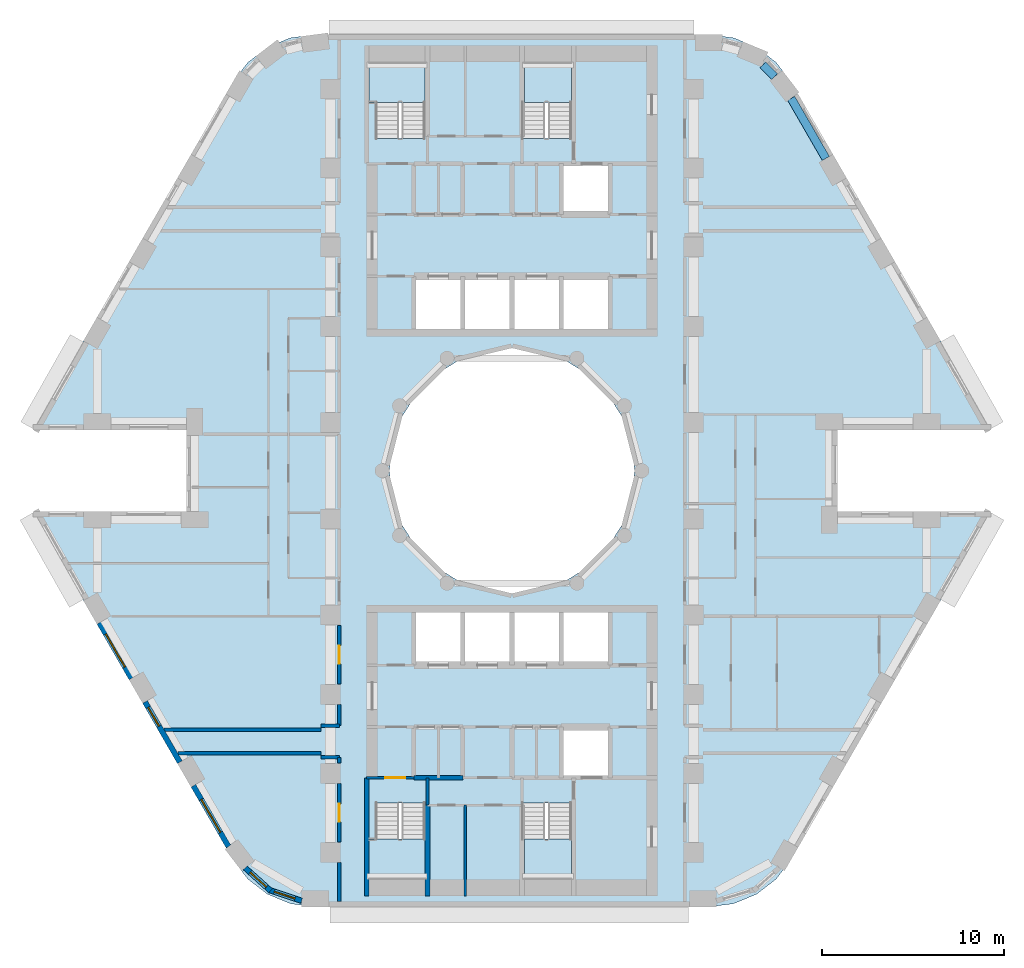
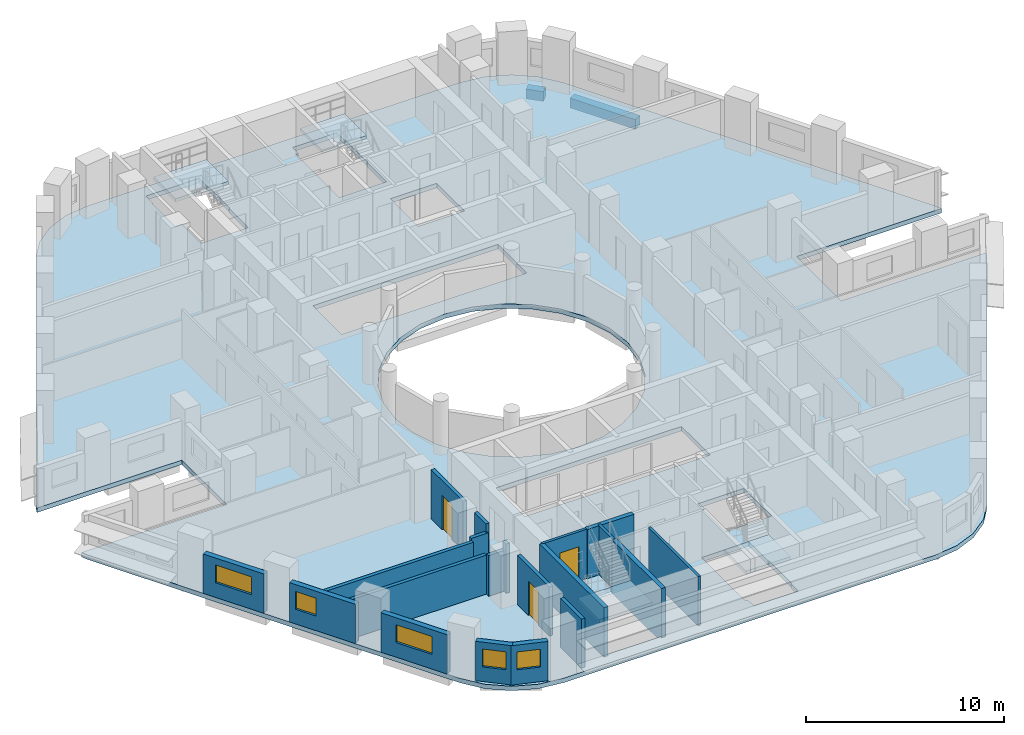
# One storey, part 2 of 12: 20 walls, 5 slabs, 5 windows, 3 doors, 2 beams, 8 openings, 4 elements without a shape of their own.
"""IFC4 building model written with IfcOpenShell, lengths in metres."""

from ifc_helpers import new_model, si_unit, direction, frame, frame_2d, origin, origin_2d, place, context, subcontext, project, spatial, polyline, rectangle, outline, extrude, material, layer, layer_set, material_profile, profile_set, type_object, element, fill, aggregate, save


model = new_model("IFC4")

# Units and contexts
model_context = context("Model", 3, precision=1e-05, world=origin(), true_north=direction((0.0, 1.0)))
body_context = subcontext(model_context, "Body", "Model", "MODEL_VIEW")
ifc_project = project(units=[si_unit("LENGTHUNIT", "METRE"), si_unit("AREAUNIT", "SQUARE_METRE"), si_unit("VOLUMEUNIT", "CUBIC_METRE"), si_unit("PLANEANGLEUNIT", "RADIAN"), si_unit("MASSUNIT", "GRAM", prefix="KILO")], contexts=[model_context])

# Site, building, storey
site_placement = place(None, origin())
site = spatial("IfcSite", under=ifc_project, at=site_placement, CompositionType="ELEMENT")
building_placement = place(site_placement, origin())
building = spatial("IfcBuilding", under=site, at=building_placement, Name="Nakaniwa Court", CompositionType="ELEMENT")
storey_placement = place(building_placement, frame((0.0, 0.0, 51.300048828125)))
storey = spatial("IfcBuildingStorey", under=building, at=storey_placement, Name="L13", CompositionType="ELEMENT", Elevation=51.300048828125)

# Beams
ifc_material_1 = material(Name="Concrete C100/115", Category="concrete")
ifc_material_profile = material_profile(ifc_material_1, rectangle(XDim=0.449951171875, YDim=0.60009765625, at=origin_2d()), Name="Concrete C100/115 RC 450x600 spandrel beam")
ifc_profile_set = profile_set([ifc_material_profile], Name="Concrete C100/115")
beam_type = type_object("IfcBeamType", Name="Concrete C100/115 RC 450x600 spandrel beam", PredefinedType="BEAM", material=ifc_profile_set)
beam_1_placement = place(storey_placement, frame((97.2705078125, 97.1865234375, -0.574951171875), z_axis=(-0.500023067617, 0.86601208528, 0.0), x_axis=(-0.86601208528, -0.500023067617, 0.0)))
element("IfcBeam", 1, at=beam_1_placement, inside=storey, type_object=beam_type, Name="SPANDREL BEAM", PredefinedType="BEAM", context=body_context, shape_type="SweptSolid", body=[
    extrude(rectangle(XDim=0.449951171875, YDim=0.60009765625, at=origin_2d()), origin(), (0.0, 0.0, 1.0), 3.819580078125),
])
beam_2_placement = place(storey_placement, frame((94.448486328125, 101.68505859375, -0.574951171875), z_axis=(-0.705908410536, 0.708303124329, 0.0), x_axis=(-0.708303124329, -0.705908410536, 0.0)))
element("IfcBeam", 2, at=beam_2_placement, inside=storey, type_object=beam_type, Name="SPANDREL BEAM", PredefinedType="BEAM", context=body_context, shape_type="SweptSolid", body=[
    extrude(rectangle(XDim=0.449951171875, YDim=0.60009765625, at=origin_2d()), origin(), (0.0, 0.0, 1.0), 0.91748046875),
])

# Slab
ifc_layer_1 = layer(ifc_material_1, 0.27490234375)
ifc_layer_set_1 = layer_set([ifc_layer_1], Name="Concrete C100/115")
slab_type_1 = type_object("IfcSlabType", Name="Concrete C100/115 post tensioned floor slab 275", PredefinedType="FLOOR", material=ifc_layer_set_1)
slab_1_placement = place(storey_placement, frame((0.0, 0.0, -0.275146484375)))
element("IfcSlab", 3, at=slab_1_placement, inside=storey, type_object=slab_type_1, Name="FLOOR SLAB", PredefinedType="FLOOR", context=body_context, shape_type="SweptSolid", body=[
    extrude(outline(polyline([(97.908447265625, 82.25), (106.356689453125, 82.25), (106.211669921875, 82.60009765625), (95.357421875, 101.39990234375), (94.531005859375, 102.47705078125), (93.4541015625, 103.30322265625), (92.199951171875, 103.82275390625), (90.854248046875, 104.0), (69.145751953125, 104.0), (67.800048828125, 103.82275390625), (66.5458984375, 103.30322265625), (65.468994140625, 102.47705078125), (64.642578125, 101.39990234375), (53.788330078125, 82.60009765625), (53.643310546875, 82.25), (62.091552734375, 82.25), (62.091552734375, 77.75), (53.643310546875, 77.75), (53.788330078125, 77.39990234375), (64.642578125, 58.60009765625), (65.468994140625, 57.52294921875), (66.5458984375, 56.69677734375), (67.800048828125, 56.17724609375), (69.145751953125, 56.0), (90.854248046875, 56.0), (92.199951171875, 56.17724609375), (93.4541015625, 56.69677734375), (94.531005859375, 57.52294921875), (95.357421875, 58.60009765625), (106.211669921875, 77.39990234375), (106.356689453125, 77.75), (97.908447265625, 77.75), (97.908447265625, 82.25)]), holes=[polyline([(81.501953125, 86.580810546875), (80.0, 86.75), (78.498046875, 86.580810546875), (77.0712890625, 86.08154296875), (75.79150390625, 85.27734375), (74.72265625, 84.20849609375), (73.91845703125, 82.9287109375), (73.419189453125, 81.501953125), (73.25, 80.0), (73.419189453125, 78.498046875), (73.91845703125, 77.0712890625), (74.72265625, 75.79150390625), (75.79150390625, 74.72265625), (77.0712890625, 73.91845703125), (78.498046875, 73.419189453125), (80.0, 73.25), (81.501953125, 73.419189453125), (82.9287109375, 73.91845703125), (84.20849609375, 74.72265625), (85.27734375, 75.79150390625), (86.08154296875, 77.0712890625), (86.580810546875, 78.498046875), (86.75, 80.0), (86.580810546875, 81.501953125), (86.08154296875, 82.9287109375), (85.27734375, 84.20849609375), (84.20849609375, 85.27734375), (82.9287109375, 86.08154296875), (81.501953125, 86.580810546875)]), polyline([(75.264892578125, 57.4599609375), (75.264892578125, 59.764892578125), (75.22509765625, 59.764892578125), (75.22509765625, 61.7099609375), (72.47509765625, 61.7099609375), (72.47509765625, 59.764892578125), (72.0849609375, 59.764892578125), (72.0849609375, 57.4599609375), (72.125, 57.4599609375), (72.125, 56.72509765625), (75.22509765625, 56.72509765625), (75.22509765625, 57.324951171875), (75.22509765625, 57.4599609375), (75.264892578125, 57.4599609375)]), polyline([(80.0, 69.300048828125), (82.699951171875, 69.300048828125), (85.39990234375, 69.300048828125), (85.39990234375, 72.199951171875), (82.699951171875, 72.199951171875), (80.0, 72.199951171875), (77.300048828125, 72.199951171875), (74.60009765625, 72.199951171875), (74.60009765625, 69.300048828125), (77.300048828125, 69.300048828125), (80.0, 69.300048828125)]), polyline([(80.0, 87.800048828125), (82.699951171875, 87.800048828125), (85.39990234375, 87.800048828125), (85.39990234375, 90.699951171875), (82.699951171875, 90.699951171875), (80.0, 90.699951171875), (77.300048828125, 90.699951171875), (74.60009765625, 90.699951171875), (74.60009765625, 87.800048828125), (77.300048828125, 87.800048828125), (80.0, 87.800048828125)]), polyline([(75.264892578125, 100.235107421875), (75.264892578125, 102.5400390625), (75.22509765625, 102.5400390625), (75.22509765625, 102.675048828125), (75.22509765625, 103.27490234375), (72.125, 103.27490234375), (72.125, 102.5400390625), (72.0849609375, 102.5400390625), (72.0849609375, 100.235107421875), (72.47509765625, 100.235107421875), (72.47509765625, 98.2900390625), (75.22509765625, 98.2900390625), (75.22509765625, 100.235107421875), (75.264892578125, 100.235107421875)]), polyline([(83.27490234375, 61.7099609375), (80.52490234375, 61.7099609375), (80.52490234375, 57.324951171875), (80.675048828125, 57.324951171875), (80.675048828125, 56.72509765625), (83.27490234375, 56.72509765625), (83.27490234375, 57.324951171875), (83.27490234375, 57.4599609375), (83.31494140625, 57.4599609375), (83.31494140625, 59.764892578125), (83.27490234375, 59.764892578125), (83.27490234375, 61.7099609375)]), polyline([(85.39990234375, 65.89990234375), (82.699951171875, 65.89990234375), (82.699951171875, 63.10009765625), (85.39990234375, 63.10009765625), (85.39990234375, 65.89990234375)]), polyline([(85.39990234375, 96.89990234375), (82.699951171875, 96.89990234375), (82.699951171875, 94.10009765625), (85.39990234375, 94.10009765625), (85.39990234375, 96.89990234375)]), polyline([(83.27490234375, 100.235107421875), (83.31494140625, 100.235107421875), (83.31494140625, 102.5400390625), (83.27490234375, 102.5400390625), (83.27490234375, 102.675048828125), (83.27490234375, 103.27490234375), (80.675048828125, 103.27490234375), (80.675048828125, 102.675048828125), (80.52490234375, 102.675048828125), (80.52490234375, 98.2900390625), (83.27490234375, 98.2900390625), (83.27490234375, 100.235107421875)])]), origin(), (0.0, 0.0, 1.0), 0.275146484375),
])

# Stair, slab
ifc_material_2 = material(Name="Concrete C80/100", Category="concrete")
stair_type = type_object("IfcStairType", Name="Dog leg stair 1300 wide 18 risers", PredefinedType="HALF_TURN_STAIR", material=ifc_material_2)
stair_1_placement = place(storey_placement, origin())
stair_1 = element("IfcStair", 4, at=stair_1_placement, inside=storey, type_object=stair_type, Name="L13 Stair ST1", PredefinedType="HALF_TURN_STAIR")
ifc_layer_2 = layer(ifc_material_2, 0.199951171875)
ifc_layer_set_2 = layer_set([ifc_layer_2], Name="Concrete C80/100")
slab_type_2 = type_object("IfcSlabType", Name="Stair landing concrete", PredefinedType="LANDING", material=ifc_layer_set_2)
slab_2_placement = place(storey_placement, frame((0.0, 0.0, 1.449951171875)))
slab_2 = element("IfcSlab", 5, at=slab_2_placement, type_object=slab_type_2, Name="ST1 landing 1", PredefinedType="LANDING", context=body_context, shape_type="SweptSolid", body=[
    extrude(outline(polyline([(75.22509765625, 100.27490234375), (75.22509765625, 102.5), (72.125, 102.5), (72.125, 100.27490234375), (75.22509765625, 100.27490234375)])), origin(), (0.0, 0.0, 1.0), 0.199951171875),
])
aggregate(stair_1, [slab_2])

stair_2_placement = place(storey_placement, origin())
stair_2 = element("IfcStair", 6, at=stair_2_placement, inside=storey, type_object=stair_type, Name="L13 Stair ST2", PredefinedType="HALF_TURN_STAIR")
slab_3_placement = place(storey_placement, frame((0.0, 0.0, 1.449951171875)))
slab_3 = element("IfcSlab", 7, at=slab_3_placement, type_object=slab_type_2, Name="ST2 landing 1", PredefinedType="LANDING", context=body_context, shape_type="SweptSolid", body=[
    extrude(outline(polyline([(83.27490234375, 100.27490234375), (83.27490234375, 102.5), (80.675048828125, 102.5), (80.675048828125, 100.27490234375), (83.27490234375, 100.27490234375)])), origin(), (0.0, 0.0, 1.0), 0.199951171875),
])
aggregate(stair_2, [slab_3])

stair_3_placement = place(storey_placement, origin())
stair_3 = element("IfcStair", 8, at=stair_3_placement, inside=storey, type_object=stair_type, Name="L13 Stair ST3", PredefinedType="HALF_TURN_STAIR")
slab_4_placement = place(storey_placement, frame((0.0, 0.0, 1.449951171875)))
slab_4 = element("IfcSlab", 9, at=slab_4_placement, type_object=slab_type_2, Name="ST3 landing 1", PredefinedType="LANDING", context=body_context, shape_type="SweptSolid", body=[
    extrude(outline(polyline([(75.22509765625, 57.5), (75.22509765625, 59.72509765625), (72.125, 59.72509765625), (72.125, 57.5), (75.22509765625, 57.5)])), origin(), (0.0, 0.0, 1.0), 0.199951171875),
])
aggregate(stair_3, [slab_4])

stair_4_placement = place(storey_placement, origin())
stair_4 = element("IfcStair", 10, at=stair_4_placement, inside=storey, type_object=stair_type, Name="L13 Stair ST4", PredefinedType="HALF_TURN_STAIR")
slab_5_placement = place(storey_placement, frame((0.0, 0.0, 1.449951171875)))
slab_5 = element("IfcSlab", 11, at=slab_5_placement, type_object=slab_type_2, Name="ST4 landing 1", PredefinedType="LANDING", context=body_context, shape_type="SweptSolid", body=[
    extrude(outline(polyline([(83.27490234375, 57.5), (83.27490234375, 59.72509765625), (80.675048828125, 59.72509765625), (80.675048828125, 57.5), (83.27490234375, 57.5)])), origin(), (0.0, 0.0, 1.0), 0.199951171875),
])
aggregate(stair_4, [slab_5])

# Walls
ifc_material_3 = material(Name="Acoustic double stud partition")
ifc_layer_3 = layer(ifc_material_3, 0.199951171875)
ifc_layer_set_3 = layer_set([ifc_layer_3], Name="Acoustic double stud partition")
wall_type_1 = type_object("IfcWallType", Name="Acoustic double stud partition 200", PredefinedType="PARTITIONING", material=ifc_layer_set_3)
wall_1_placement = place(storey_placement, frame((69.5, 65.97509765625, 0.0), z_axis=(0.0, 0.0, 1.0), x_axis=(1.0, 0.0, 0.0)))
element("IfcWall", 12, at=wall_1_placement, inside=storey, type_object=wall_type_1, Name="Partition PW-091", PredefinedType="PARTITIONING", context=body_context, shape_type="SweptSolid", body=[
    extrude(rectangle(XDim=1.0, YDim=0.199951171875, at=frame_2d((0.5, 0.0))), origin(), (0.0, 0.0, 1.0), 2.5048828125),
])
wall_2_placement = place(storey_placement, frame((60.86083984375, 65.75, 0.0), z_axis=(0.0, 0.0, 1.0), x_axis=(1.0, 0.0, 0.0)))
element("IfcWall", 13, at=wall_2_placement, inside=storey, type_object=wall_type_1, Name="Partition PW-093", PredefinedType="PARTITIONING", context=body_context, shape_type="SweptSolid", body=[
    extrude(rectangle(XDim=8.63916015625, YDim=0.199951171875, at=frame_2d((4.319580078125, 0.0))), origin(), (0.0, 0.0, 1.0), 2.405029296875),
])
wall_3_placement = place(storey_placement, frame((61.611328125, 64.449951171875, 0.0), z_axis=(0.0, 0.0, 1.0), x_axis=(1.0, 0.0, 0.0)))
element("IfcWall", 14, at=wall_3_placement, inside=storey, type_object=wall_type_1, Name="Partition PW-095", PredefinedType="PARTITIONING", context=body_context, shape_type="SweptSolid", body=[
    extrude(rectangle(XDim=7.888671875, YDim=0.199951171875, at=frame_2d((3.9443359375, 0.0))), origin(), (0.0, 0.0, 1.0), 2.405029296875),
])
wall_4_placement = place(storey_placement, frame((69.5, 64.22509765625, 0.0), z_axis=(0.0, 0.0, 1.0), x_axis=(1.0, 0.0, 0.0)))
element("IfcWall", 15, at=wall_4_placement, inside=storey, type_object=wall_type_1, Name="Partition PW-097", PredefinedType="PARTITIONING", context=body_context, shape_type="SweptSolid", body=[
    extrude(rectangle(XDim=1.0, YDim=0.199951171875, at=frame_2d((0.5, 0.0))), origin(), (0.0, 0.0, 1.0), 2.5048828125),
])
wall_5_placement = place(storey_placement, frame((70.5, 56.300048828125, 0.0), z_axis=(0.0, 0.0, 1.0), x_axis=(0.0, 1.0, 0.0)))
element("IfcWall", 16, at=wall_5_placement, inside=storey, type_object=wall_type_1, Name="Partition PW-099", PredefinedType="PARTITIONING", context=body_context, shape_type="SweptSolid", body=[
    extrude(rectangle(XDim=2.133056640625, YDim=0.199951171875, at=frame_2d((1.06640625, 0.0))), origin(), (0.0, 0.0, 1.0), 3.02490234375),
])

# Wall, opening, door
wall_6_placement = place(storey_placement, frame((70.5, 59.56689453125, 0.0), z_axis=(0.0, 0.0, 1.0), x_axis=(0.0, 1.0, 0.0)))
wall_6 = element("IfcWall", 17, at=wall_6_placement, inside=storey, type_object=wall_type_1, Name="Partition PW-100", PredefinedType="PARTITIONING", context=body_context, shape_type="SweptSolid", body=[
    extrude(rectangle(XDim=3.216064453125, YDim=0.199951171875, at=frame_2d((1.60791015625, 0.0))), origin(), (0.0, 0.0, 1.0), 3.02490234375),
])
opening_1_placement = place(wall_6_placement, frame((1.10791015625, 0.0, 0.0)))
opening_1 = element("IfcOpeningElement", 18, at=opening_1_placement, cuts=wall_6, Name="Opening D-02-06", PredefinedType="OPENING", context=body_context, shape_type="SweptSolid", body=[
    extrude(rectangle(XDim=1.0, YDim=2.10009765625, at=frame_2d((0.5, 1.050048828125))), frame((0.0, 0.10986328125, 0.0), z_axis=(0.0, -1.0, 0.0), x_axis=(1.0, 0.0, 0.0)), (0.0, 0.0, 1.0), 0.219970703125),
])
ifc_material_4 = material(Name="Solid core timber door set, black veneer", Category="wood")
door_type_1 = type_object("IfcDoorType", Name="Internal door 1000", OperationType="NOTDEFINED", PredefinedType="DOOR", material=ifc_material_4)
door_1_placement = place(opening_1_placement, origin())
door_1 = element("IfcDoor", 19, at=door_1_placement, inside=storey, type_object=door_type_1, Name="Door D-02-06 L13-054", OperationType="SINGLE_SWING_LEFT", OverallHeight=2.10009765625, OverallWidth=1.0, PredefinedType="DOOR", context=body_context, shape_type="SweptSolid", body=[
    extrude(rectangle(XDim=1.0, YDim=2.10009765625, at=frame_2d((0.5, 1.050048828125))), frame((0.0, 0.02490234375, 0.0), z_axis=(0.0, -1.0, 0.0), x_axis=(1.0, 0.0, 0.0)), (0.0, 0.0, 1.0), 0.050048828125),
])
fill(opening_1, door_1)

# Walls
wall_7_placement = place(storey_placement, frame((70.5, 63.9169921875, 0.0), z_axis=(0.0, 0.0, 1.0), x_axis=(0.0, 1.0, 0.0)))
element("IfcWall", 20, at=wall_7_placement, inside=storey, type_object=wall_type_1, Name="Partition PW-101", PredefinedType="PARTITIONING", context=body_context, shape_type="SweptSolid", body=[
    extrude(rectangle(XDim=0.31103515625, YDim=0.199951171875, at=frame_2d((0.155517578125, 0.0))), origin(), (0.0, 0.0, 1.0), 3.02490234375),
])
wall_8_placement = place(storey_placement, frame((70.5, 65.971923828125, 0.0), z_axis=(0.0, 0.0, 1.0), x_axis=(0.0, 1.0, 0.0)))
element("IfcWall", 21, at=wall_8_placement, inside=storey, type_object=wall_type_1, Name="Partition PW-102", PredefinedType="PARTITIONING", context=body_context, shape_type="SweptSolid", body=[
    extrude(rectangle(XDim=1.1611328125, YDim=0.199951171875, at=frame_2d((0.58056640625, 0.0))), origin(), (0.0, 0.0, 1.0), 3.02490234375),
])

# Wall, opening, door
wall_9_placement = place(storey_placement, frame((70.5, 68.26708984375, 0.0), z_axis=(0.0, 0.0, 1.0), x_axis=(0.0, 1.0, 0.0)))
wall_9 = element("IfcWall", 22, at=wall_9_placement, inside=storey, type_object=wall_type_1, Name="Partition PW-103", PredefinedType="PARTITIONING", context=body_context, shape_type="SweptSolid", body=[
    extrude(rectangle(XDim=3.2158203125, YDim=0.199951171875, at=frame_2d((1.60791015625, 0.0))), origin(), (0.0, 0.0, 1.0), 3.02490234375),
])
opening_2_placement = place(wall_9_placement, frame((1.10791015625, 0.0, 0.0)))
opening_2 = element("IfcOpeningElement", 23, at=opening_2_placement, cuts=wall_9, Name="Opening D-02-03", PredefinedType="OPENING", context=body_context, shape_type="SweptSolid", body=[
    extrude(rectangle(XDim=1.0, YDim=2.10009765625, at=frame_2d((0.5, 1.050048828125))), frame((0.0, 0.10986328125, 0.0), z_axis=(0.0, -1.0, 0.0), x_axis=(1.0, 0.0, 0.0)), (0.0, 0.0, 1.0), 0.219970703125),
])
door_2_placement = place(opening_2_placement, origin())
door_2 = element("IfcDoor", 24, at=door_2_placement, inside=storey, type_object=door_type_1, Name="Door D-02-03 L13-041", OperationType="SINGLE_SWING_RIGHT", OverallHeight=2.10009765625, OverallWidth=1.0, PredefinedType="DOOR", context=body_context, shape_type="SweptSolid", body=[
    extrude(rectangle(XDim=1.0, YDim=2.10009765625, at=frame_2d((0.5, 1.050048828125))), frame((0.0, 0.02490234375, 0.0), z_axis=(0.0, -1.0, 0.0), x_axis=(1.0, 0.0, 0.0)), (0.0, 0.0, 1.0), 0.050048828125),
])
fill(opening_2, door_2)

# Wall, opening, window
ifc_material_5 = material(Name="Charcoal ceramic cladding")
ifc_layer_4 = layer(ifc_material_5, 0.02, Name="Ceramic cladding")
ifc_material_6 = material(Name="Ventilated air cavity")
ifc_layer_5 = layer(ifc_material_6, 0.04, ventilated=True, Name="Ventilated cavity")
ifc_material_7 = material(Name="Mineral wool insulation")
ifc_layer_6 = layer(ifc_material_7, 0.1, Name="Insulation")
ifc_material_8 = material(Name="Cement bonded sheathing board")
ifc_layer_7 = layer(ifc_material_8, 0.012, Name="Sheathing")
ifc_material_9 = material(Name="Cold-formed galvanised stud frame with mineral wool infill")
ifc_layer_8 = layer(ifc_material_9, 0.1, Name="Stud frame")
ifc_material_10 = material(Name="Fire-rated gypsum plasterboard lining")
ifc_layer_9 = layer(ifc_material_10, 0.028, Name="Lining")
ifc_layer_set_4 = layer_set([ifc_layer_4, ifc_layer_5, ifc_layer_6, ifc_layer_7, ifc_layer_8, ifc_layer_9], Name="Charcoal ceramic faced external wall system")
wall_type_2 = type_object("IfcWallType", Name="Black ceramic faced external wall 300", PredefinedType="SOLIDWALL", material=ifc_layer_set_4)
wall_10_placement = place(storey_placement, frame((57.290283203125, 71.63427734375, 0.0), z_axis=(0.0, 0.0, 1.0), x_axis=(0.499977402622, -0.866038449993, 0.0)))
wall_10 = element("IfcWall", 25, at=wall_10_placement, inside=storey, type_object=wall_type_2, Name="L13 external wall 21", PredefinedType="SOLIDWALL", context=body_context, shape_type="SweptSolid", body=[
    extrude(rectangle(XDim=3.536865234375, YDim=0.300048828125, at=frame_2d((1.7685546875, 0.0))), origin(), (0.0, 0.0, 1.0), 2.425048828125),
])
opening_3_placement = place(wall_10_placement, frame((0.718505859375, 0.0, 0.89990234375)))
opening_3 = element("IfcOpeningElement", 26, at=opening_3_placement, cuts=wall_10, Name="Opening W7.22", PredefinedType="OPENING", context=body_context, shape_type="SweptSolid", body=[
    extrude(rectangle(XDim=2.10009765625, YDim=1.10009765625, at=frame_2d((1.050048828125, 0.550048828125))), frame((0.0, 0.159912109375, 0.0), z_axis=(0.0, -1.0, 0.0), x_axis=(1.0, 0.0, 0.0)), (0.0, 0.0, 1.0), 0.320068359375),
])
ifc_material_11 = material(Name="Black anodised aluminium frame with dark low-E laminated double glazing", Category="aluminium")
window_type_1 = type_object("IfcWindowType", Name="Dark glass window 2100x1100 sill 900", PartitioningType="SINGLE_PANEL", PredefinedType="WINDOW", material=ifc_material_11)
window_1_placement = place(opening_3_placement, origin())
window_1 = element("IfcWindow", 27, at=window_1_placement, inside=storey, type_object=window_type_1, Name="L13 habitable room window 21-0", OverallHeight=1.10009765625, OverallWidth=2.10009765625, PartitioningType="SINGLE_PANEL", PredefinedType="WINDOW", context=body_context, shape_type="SweptSolid", body=[
    extrude(rectangle(XDim=2.10009765625, YDim=1.10009765625, at=frame_2d((1.050048828125, 0.550048828125))), frame((0.0, 0.030029296875, 0.0), z_axis=(0.0, -1.0, 0.0), x_axis=(1.0, 0.0, 0.0)), (0.0, 0.0, 1.0), 0.06005859375),
])
fill(opening_3, window_1)

wall_11_placement = place(storey_placement, frame((59.8046875, 67.279296875, 0.0), z_axis=(0.0, 0.0, 1.0), x_axis=(0.500001735503, -0.866024401789, 0.0)))
wall_11 = element("IfcWall", 28, at=wall_11_placement, inside=storey, type_object=wall_type_2, Name="L13 external wall 22", PredefinedType="SOLIDWALL", context=body_context, shape_type="SweptSolid", body=[
    extrude(rectangle(XDim=3.833984375, YDim=0.300048828125, at=frame_2d((1.9169921875, 0.0))), origin(), (0.0, 0.0, 1.0), 2.425048828125),
])
opening_4_placement = place(wall_11_placement, frame((0.343994140625, 0.0, 0.89990234375)))
opening_4 = element("IfcOpeningElement", 29, at=opening_4_placement, cuts=wall_11, Name="Opening W6.23", PredefinedType="OPENING", context=body_context, shape_type="SweptSolid", body=[
    extrude(rectangle(XDim=1.199951171875, YDim=1.10009765625, at=frame_2d((0.60009765625, 0.550048828125))), frame((0.0, 0.159912109375, 0.0), z_axis=(0.0, -1.0, 0.0), x_axis=(1.0, 0.0, 0.0)), (0.0, 0.0, 1.0), 0.320068359375),
])
window_type_2 = type_object("IfcWindowType", Name="Dark glass window 1200x1100 sill 900", PartitioningType="SINGLE_PANEL", PredefinedType="WINDOW", material=ifc_material_11)
window_2_placement = place(opening_4_placement, origin())
window_2 = element("IfcWindow", 30, at=window_2_placement, inside=storey, type_object=window_type_2, Name="L13 habitable room window 22-0", OverallHeight=1.10009765625, OverallWidth=1.199951171875, PartitioningType="SINGLE_PANEL", PredefinedType="WINDOW", context=body_context, shape_type="SweptSolid", body=[
    extrude(rectangle(XDim=1.199951171875, YDim=1.10009765625, at=frame_2d((0.60009765625, 0.550048828125))), frame((0.0, 0.030029296875, 0.0), z_axis=(0.0, -1.0, 0.0), x_axis=(1.0, 0.0, 0.0)), (0.0, 0.0, 1.0), 0.06005859375),
])
fill(opening_4, window_2)

wall_12_placement = place(storey_placement, frame((62.4677734375, 62.6669921875, 0.0), z_axis=(0.0, 0.0, 1.0), x_axis=(0.499948341072, -0.866055227026, 0.0)))
wall_12 = element("IfcWall", 31, at=wall_12_placement, inside=storey, type_object=wall_type_2, Name="L13 external wall 23", PredefinedType="SOLIDWALL", context=body_context, shape_type="SweptSolid", body=[
    extrude(rectangle(XDim=3.8671875, YDim=0.300048828125, at=frame_2d((1.93359375, 0.0))), origin(), (0.0, 0.0, 1.0), 2.425048828125),
])
opening_5_placement = place(wall_12_placement, frame((0.872314453125, 0.0, 0.89990234375)))
opening_5 = element("IfcOpeningElement", 32, at=opening_5_placement, cuts=wall_12, Name="Opening W7.24", PredefinedType="OPENING", context=body_context, shape_type="SweptSolid", body=[
    extrude(rectangle(XDim=2.10009765625, YDim=1.10009765625, at=frame_2d((1.050048828125, 0.550048828125))), frame((0.0, 0.159912109375, 0.0), z_axis=(0.0, -1.0, 0.0), x_axis=(1.0, 0.0, 0.0)), (0.0, 0.0, 1.0), 0.320068359375),
])
window_3_placement = place(opening_5_placement, origin())
window_3 = element("IfcWindow", 33, at=window_3_placement, inside=storey, type_object=window_type_1, Name="L13 habitable room window 23-0", OverallHeight=1.10009765625, OverallWidth=2.10009765625, PartitioningType="SINGLE_PANEL", PredefinedType="WINDOW", context=body_context, shape_type="SweptSolid", body=[
    extrude(rectangle(XDim=2.10009765625, YDim=1.10009765625, at=frame_2d((1.050048828125, 0.550048828125))), frame((0.0, 0.030029296875, 0.0), z_axis=(0.0, -1.0, 0.0), x_axis=(1.0, 0.0, 0.0)), (0.0, 0.0, 1.0), 0.06005859375),
])
fill(opening_5, window_3)

wall_13_placement = place(storey_placement, frame((65.3203125, 58.142578125, 0.0), z_axis=(0.0, 0.0, 1.0), x_axis=(0.7435526378, -0.668677407141, 0.0)))
wall_13 = element("IfcWall", 34, at=wall_13_placement, inside=storey, type_object=wall_type_2, Name="L13 external wall 24", PredefinedType="SOLIDWALL", context=body_context, shape_type="SweptSolid", body=[
    extrude(rectangle(XDim=1.878173828125, YDim=0.300048828125, at=frame_2d((0.93896484375, 0.0))), origin(), (0.0, 0.0, 1.0), 2.425048828125),
])
opening_6_placement = place(wall_13_placement, frame((0.366943359375, 0.0, 0.89990234375)))
opening_6 = element("IfcOpeningElement", 35, at=opening_6_placement, cuts=wall_13, Name="Opening W6.25", PredefinedType="OPENING", context=body_context, shape_type="SweptSolid", body=[
    extrude(rectangle(XDim=1.199951171875, YDim=1.10009765625, at=frame_2d((0.60009765625, 0.550048828125))), frame((0.0, 0.159912109375, 0.0), z_axis=(0.0, -1.0, 0.0), x_axis=(1.0, 0.0, 0.0)), (0.0, 0.0, 1.0), 0.320068359375),
])
window_4_placement = place(opening_6_placement, origin())
window_4 = element("IfcWindow", 36, at=window_4_placement, inside=storey, type_object=window_type_2, Name="L13 habitable room window 24-0", OverallHeight=1.10009765625, OverallWidth=1.199951171875, PartitioningType="SINGLE_PANEL", PredefinedType="WINDOW", context=body_context, shape_type="SweptSolid", body=[
    extrude(rectangle(XDim=1.199951171875, YDim=1.10009765625, at=frame_2d((0.60009765625, 0.550048828125))), frame((0.0, 0.030029296875, 0.0), z_axis=(0.0, -1.0, 0.0), x_axis=(1.0, 0.0, 0.0)), (0.0, 0.0, 1.0), 0.06005859375),
])
fill(opening_6, window_4)

wall_14_placement = place(storey_placement, frame((66.6240234375, 56.932861328125, 0.0), z_axis=(0.0, 0.0, 1.0), x_axis=(0.949246659442, -0.314532636683, 0.0)))
wall_14 = element("IfcWall", 37, at=wall_14_placement, inside=storey, type_object=wall_type_2, Name="L13 external wall 25", PredefinedType="SOLIDWALL", context=body_context, shape_type="SweptSolid", body=[
    extrude(rectangle(XDim=1.901611328125, YDim=0.300048828125, at=frame_2d((0.95068359375, 0.0))), origin(), (0.0, 0.0, 1.0), 2.425048828125),
])
opening_7_placement = place(wall_14_placement, frame((0.31005859375, 0.0, 0.89990234375)))
opening_7 = element("IfcOpeningElement", 38, at=opening_7_placement, cuts=wall_14, Name="Opening W6.26", PredefinedType="OPENING", context=body_context, shape_type="SweptSolid", body=[
    extrude(rectangle(XDim=1.199951171875, YDim=1.10009765625, at=frame_2d((0.60009765625, 0.550048828125))), frame((0.0, 0.159912109375, 0.0), z_axis=(0.0, -1.0, 0.0), x_axis=(1.0, 0.0, 0.0)), (0.0, 0.0, 1.0), 0.320068359375),
])
window_5_placement = place(opening_7_placement, origin())
window_5 = element("IfcWindow", 39, at=window_5_placement, inside=storey, type_object=window_type_2, Name="L13 habitable room window 25-0", OverallHeight=1.10009765625, OverallWidth=1.199951171875, PartitioningType="SINGLE_PANEL", PredefinedType="WINDOW", context=body_context, shape_type="SweptSolid", body=[
    extrude(rectangle(XDim=1.199951171875, YDim=1.10009765625, at=frame_2d((0.60009765625, 0.550048828125))), frame((0.0, 0.030029296875, 0.0), z_axis=(0.0, -1.0, 0.0), x_axis=(1.0, 0.0, 0.0)), (0.0, 0.0, 1.0), 0.06005859375),
])
fill(opening_7, window_5)

# Wall
ifc_material_12 = material(Name="Blockwork partition", Category="masonry")
ifc_layer_10 = layer(ifc_material_12, 0.14990234375)
ifc_layer_set_5 = layer_set([ifc_layer_10], Name="Blockwork partition")
wall_type_3 = type_object("IfcWallType", Name="Blockwork partition 150", PredefinedType="PARTITIONING", material=ifc_layer_set_5)
wall_15_placement = place(storey_placement, frame((77.429931640625, 56.60009765625, 0.0), z_axis=(0.0, 0.0, 1.0), x_axis=(0.0, 1.0, 0.0)))
element("IfcWall", 40, at=wall_15_placement, inside=storey, type_object=wall_type_3, Name="Partition PW-070", PredefinedType="PARTITIONING", context=body_context, shape_type="SweptSolid", body=[
    extrude(rectangle(XDim=5.0, YDim=0.14990234375, at=frame_2d((2.5, 0.0))), origin(), (0.0, 0.0, 1.0), 3.02490234375),
])

# Wall, opening, door
ifc_layer_11 = layer(ifc_material_1, 0.14990234375)
ifc_layer_set_6 = layer_set([ifc_layer_11], Name="Concrete C100/115")
wall_type_4 = type_object("IfcWallType", Name="Concrete core wall 150 C100", PredefinedType="SHEAR", material=ifc_layer_set_6)
wall_16_placement = place(storey_placement, frame((72.0, 63.10009765625, -0.275146484375), z_axis=(0.0, 0.0, 1.0), x_axis=(1.0, 0.0, 0.0)))
wall_16 = element("IfcWall", 41, at=wall_16_placement, inside=storey, type_object=wall_type_4, Name="Core wall SW-57", PredefinedType="SHEAR", context=body_context, shape_type="SweptSolid", body=[
    extrude(rectangle(XDim=2.60009765625, YDim=0.14990234375, at=frame_2d((1.300048828125, 0.0))), origin(), (0.0, 0.0, 1.0), 3.300048828125),
])
opening_8_placement = place(wall_16_placement, frame((1.02001953125, 0.0, 0.27490234375)))
opening_8 = element("IfcOpeningElement", 42, at=opening_8_placement, cuts=wall_16, Name="Opening D-09-02", PredefinedType="OPENING", context=body_context, shape_type="SweptSolid", body=[
    extrude(rectangle(XDim=1.10009765625, YDim=2.10009765625, at=frame_2d((0.550048828125, 1.050048828125))), frame((0.0, 0.0849609375, 0.0), z_axis=(0.0, -1.0, 0.0), x_axis=(1.0, 0.0, 0.0)), (0.0, 0.0, 1.0), 0.169921875),
])
ifc_material_13 = material(Name="Fire rated steel door set", Category="steel")
door_type_2 = type_object("IfcDoorType", Name="Stair door 1100", OperationType="NOTDEFINED", PredefinedType="DOOR", material=ifc_material_13)
door_3_placement = place(opening_8_placement, origin())
door_3 = element("IfcDoor", 43, at=door_3_placement, inside=storey, type_object=door_type_2, Name="Door D-09-02 L13-027", OperationType="SINGLE_SWING_LEFT", OverallHeight=2.10009765625, OverallWidth=1.10009765625, PredefinedType="DOOR", context=body_context, shape_type="SweptSolid", body=[
    extrude(rectangle(XDim=1.10009765625, YDim=2.10009765625, at=frame_2d((0.550048828125, 1.050048828125))), frame((0.0, 0.02490234375, 0.0), z_axis=(0.0, -1.0, 0.0), x_axis=(1.0, 0.0, 0.0)), (0.0, 0.0, 1.0), 0.050048828125),
])
fill(opening_8, door_3)

# Walls
wall_17_placement = place(storey_placement, frame((75.35009765625, 61.596923828125, -0.275146484375), z_axis=(0.0, 0.0, 1.0), x_axis=(0.0, 1.0, 0.0)))
element("IfcWall", 44, at=wall_17_placement, inside=storey, type_object=wall_type_4, Name="Core wall SW-63", PredefinedType="SHEAR", context=body_context, shape_type="SweptSolid", body=[
    extrude(rectangle(XDim=1.503173828125, YDim=0.14990234375, at=frame_2d((0.75146484375, 0.0))), origin(), (0.0, 0.0, 1.0), 3.300048828125),
])
ifc_layer_12 = layer(ifc_material_1, 0.25)
ifc_layer_set_7 = layer_set([ifc_layer_12], Name="Concrete C100/115")
wall_type_5 = type_object("IfcWallType", Name="Concrete core wall 250 C100", PredefinedType="SHEAR", material=ifc_layer_set_7)
wall_18_placement = place(storey_placement, frame((72.0, 56.60009765625, -0.275146484375), z_axis=(0.0, 0.0, 1.0), x_axis=(0.0, 1.0, 0.0)))
element("IfcWall", 45, at=wall_18_placement, inside=storey, type_object=wall_type_5, Name="Core wall SW-65", PredefinedType="SHEAR", context=body_context, shape_type="SweptSolid", body=[
    extrude(rectangle(XDim=6.5, YDim=0.25, at=frame_2d((3.25, 0.0))), origin(), (0.0, 0.0, 1.0), 3.300048828125),
])
ifc_layer_13 = layer(ifc_material_1, 0.25)
ifc_layer_set_8 = layer_set([ifc_layer_13], Name="Concrete C100/115")
wall_type_6 = type_object("IfcWallType", Name="Concrete shaft wall 250 C100", PredefinedType="SHEAR", material=ifc_layer_set_8)
wall_19_placement = place(storey_placement, frame((74.60009765625, 63.10009765625, -0.275146484375), z_axis=(0.0, 0.0, 1.0), x_axis=(1.0, 0.0, 0.0)))
element("IfcWall", 46, at=wall_19_placement, inside=storey, type_object=wall_type_6, Name="Core wall SW-59", PredefinedType="SHEAR", context=body_context, shape_type="SweptSolid", body=[
    extrude(rectangle(XDim=2.699951171875, YDim=0.25, at=frame_2d((1.35009765625, 0.0))), origin(), (0.0, 0.0, 1.0), 3.300048828125),
])
wall_20_placement = place(storey_placement, frame((75.35009765625, 56.60009765625, -0.275146484375), z_axis=(0.0, 0.0, 1.0), x_axis=(0.0, 1.0, 0.0)))
element("IfcWall", 47, at=wall_20_placement, inside=storey, type_object=wall_type_6, Name="Core wall SW-64", PredefinedType="SHEAR", context=body_context, shape_type="SweptSolid", body=[
    extrude(rectangle(XDim=5.0029296875, YDim=0.25, at=frame_2d((2.50146484375, 0.0))), origin(), (0.0, 0.0, 1.0), 3.300048828125),
])

save(model, "model.ifc")
